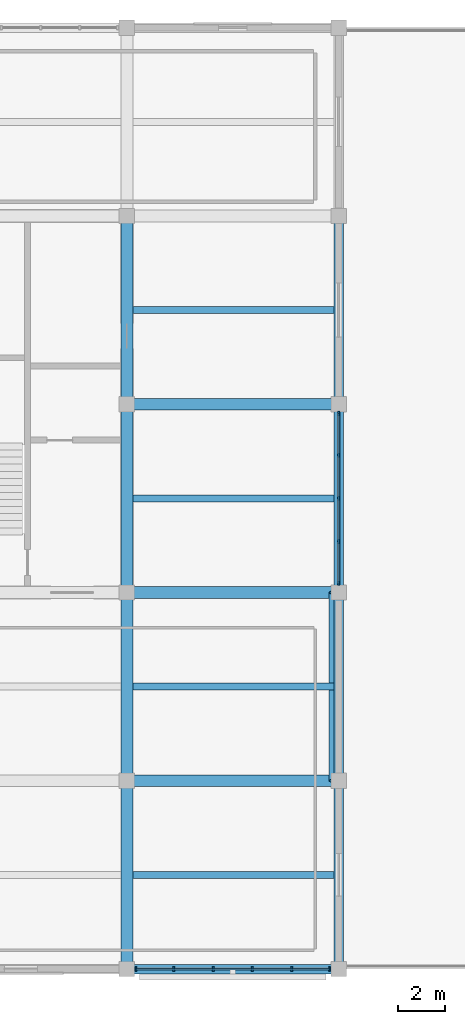
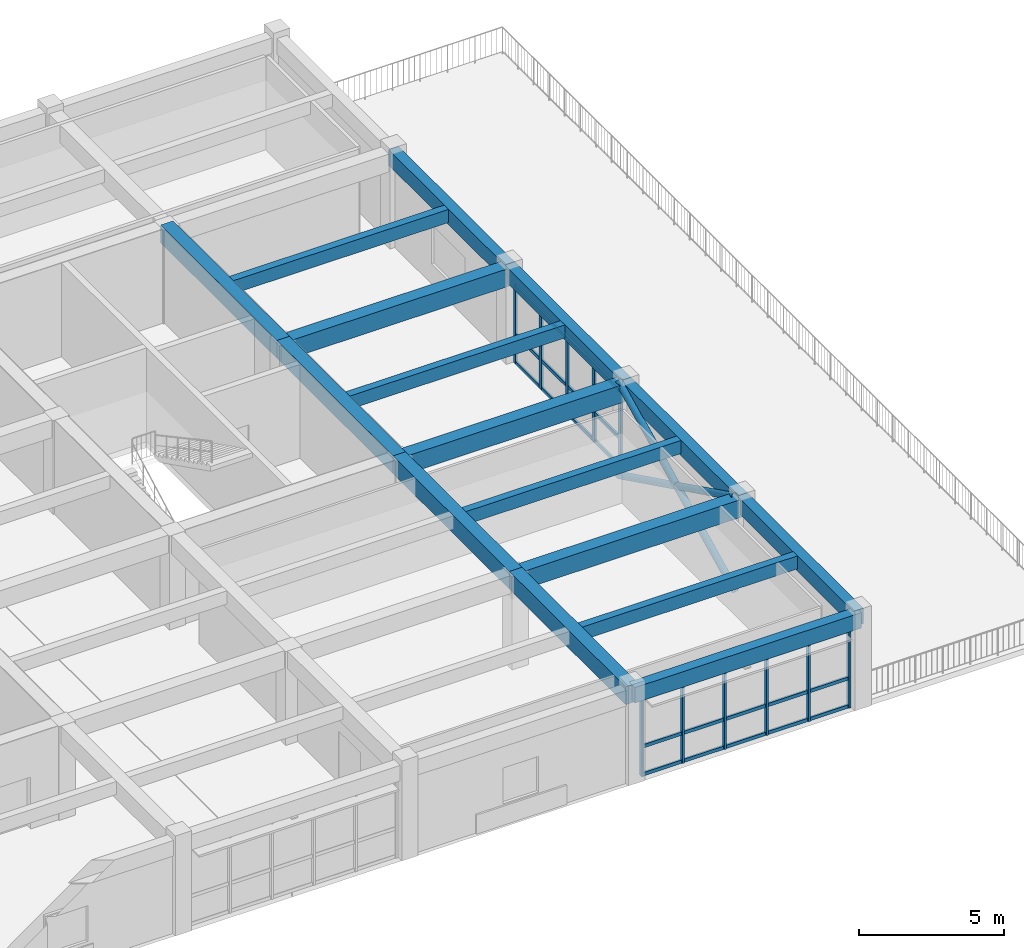
# One storey, part 4 of 12: 19 members, 16 beams, 2 elements without a shape of their own.
"""IFC4 building model written with IfcOpenShell, lengths in metres."""

import ifcopenshell
import ifcopenshell.guid

model = None  # the IFC model being written
_history = None  # IfcOwnerHistory: only IFC2X3 demands one
_inside = {}  # id of a spatial element -> (the spatial element, [elements in it])
_under = {}  # id of a project, library or spatial element -> (it, [spatial elements below it])
_declared = {}  # id of a project -> (the project, [libraries it declares])
_typed = {}  # id of a type object -> (the type object, [elements of that type])
_made_of = {}  # id of a material, layer set ... -> (it, [elements and type objects made of it])


def new_model(schema):
    """Start an empty IFC model of exactly this schema.

    Asked for "IFC4X3", IfcOpenShell would pick the latest addendum, in which some entities
    have other attributes; the version numbers below select the first issue.
    IFC2X3 requires an IfcOwnerHistory on every rooted entity: one is made here for all.
    """
    global model, _history
    if schema == "IFC4X3":
        model = ifcopenshell.file(schema_version=(4, 3, 0, 0))
    else:
        model = ifcopenshell.file(schema=schema)
    _inside.clear()
    _under.clear()
    _declared.clear()
    _typed.clear()
    _made_of.clear()
    _history = None
    if model.schema == "IFC2X3":
        org = make("IfcOrganization", Name="unknown")
        user = make(
            "IfcPersonAndOrganization",
            ThePerson=make("IfcPerson", FamilyName="unknown"),
            TheOrganization=org,
        )
        app = make(
            "IfcApplication",
            ApplicationDeveloper=org,
            Version="unknown",
            ApplicationFullName="unknown",
            ApplicationIdentifier="unknown",
        )
        _history = make(
            "IfcOwnerHistory",
            OwningUser=user,
            OwningApplication=app,
            ChangeAction="ADDED",
            CreationDate=0,
        )
    return model


def make(cls, **values):
    """One entity of the class cls with the attributes given. An attribute that is None is left unset."""
    return model.create_entity(
        cls, **{name: value for name, value in values.items() if value is not None}
    )


def rooted(cls, **values):
    """An entity with a GlobalId (a new one), such as an element, a storey or a relation."""
    return make(cls, GlobalId=ifcopenshell.guid.new(), OwnerHistory=_history, **values)


def si_unit(unit_type, name, prefix=None):
    """IfcSIUnit, for example si_unit("LENGTHUNIT", "METRE", prefix="MILLI")."""
    return make("IfcSIUnit", UnitType=unit_type, Prefix=prefix, Name=name)


def assignment(units):
    """IfcUnitAssignment: the units of a project."""
    return None if units is None else make("IfcUnitAssignment", Units=units)


def point(xyz):
    """IfcCartesianPoint."""
    return None if xyz is None else make("IfcCartesianPoint", Coordinates=xyz)


def direction(xyz):
    """IfcDirection."""
    return None if xyz is None else make("IfcDirection", DirectionRatios=xyz)


def frame(location, z_axis=None, x_axis=None):
    """IfcAxis2Placement3D, a coordinate frame: its origin and axes. An axis left out is left unset."""
    return make(
        "IfcAxis2Placement3D",
        Location=point(location),
        Axis=direction(z_axis),
        RefDirection=direction(x_axis),
    )


def frame_2d(location, x_axis=None):
    """IfcAxis2Placement2D, a coordinate frame in the plane: its origin and x axis."""
    return make(
        "IfcAxis2Placement2D", Location=point(location), RefDirection=direction(x_axis)
    )


def origin():
    """The frame at (0, 0, 0) with its axes left unset."""
    return frame((0.0, 0.0, 0.0))


def origin_2d():
    """The frame at (0, 0) in the plane with its x axis left unset."""
    return frame_2d((0.0, 0.0))


def place(relative_to, where):
    """IfcLocalPlacement: puts the frame where relative to a parent placement (None: the world)."""
    return make(
        "IfcLocalPlacement", PlacementRelTo=relative_to, RelativePlacement=where
    )


def context(
    kind, dimensions, precision=None, world=None, true_north=None, identifier=None
):
    """IfcGeometricRepresentationContext, for example the 3D "Model" context."""
    return make(
        "IfcGeometricRepresentationContext",
        ContextIdentifier=identifier,
        ContextType=kind,
        CoordinateSpaceDimension=dimensions,
        Precision=precision,
        WorldCoordinateSystem=world,
        TrueNorth=true_north,
    )


def subcontext(parent, identifier, kind, view, scale=None):
    """IfcGeometricRepresentationSubContext, for example "Body" below "Model"."""
    return make(
        "IfcGeometricRepresentationSubContext",
        ContextIdentifier=identifier,
        ContextType=kind,
        ParentContext=parent,
        TargetScale=scale,
        TargetView=view,
    )


def project(units=None, contexts=None):
    """IfcProject with its units and contexts."""
    return rooted(
        "IfcProject",
        Name="project",
        RepresentationContexts=contexts,
        UnitsInContext=assignment(units),
    )


def spatial(cls, under=None, at=None, **own):
    """A site, building, storey or space (cls), placed at a placement, below another one or the project."""
    s = rooted(cls, ObjectPlacement=at, **own)
    if under is not None:
        _under.setdefault(under.id(), (under, []))[1].append(s)
    return s


def profile(cls, at=None, kind="AREA", **sizes):
    """A parametric profile (cls). Its sizes go by their IFC names, for example OverallWidth=200.0."""
    return make(cls, ProfileType=kind, Position=at, **sizes)


def rectangle(**sizes):
    """IfcRectangleProfileDef."""
    return profile("IfcRectangleProfileDef", **sizes)


def hollow_circle(**sizes):
    """IfcCircleHollowProfileDef."""
    return profile("IfcCircleHollowProfileDef", **sizes)


def extrude(swept, where, along, depth):
    """IfcExtrudedAreaSolid: the profile swept, set in the frame where, extruded along a direction by depth."""
    return make(
        "IfcExtrudedAreaSolid",
        SweptArea=swept,
        Position=where,
        ExtrudedDirection=direction(along),
        Depth=depth,
    )


def shape(context_of_items, identifier, shape_type, items):
    """IfcShapeRepresentation: the items that make up one representation, for example the "Body"."""
    return make(
        "IfcShapeRepresentation",
        ContextOfItems=context_of_items,
        RepresentationIdentifier=identifier,
        RepresentationType=shape_type,
        Items=items,
    )


def material(Name=None, Category=None):
    """IfcMaterial."""
    return make("IfcMaterial", Name=Name, Category=Category)


def material_profile(
    of_material, cross_section, Name=None, Category=None, Priority=None
):
    """IfcMaterialProfile: a cross section and its material."""
    return make(
        "IfcMaterialProfile",
        Name=Name,
        Material=of_material,
        Profile=cross_section,
        Priority=Priority,
        Category=Category,
    )


def profile_set(profiles, Name=None, composite=None):
    """IfcMaterialProfileSet."""
    return make(
        "IfcMaterialProfileSet",
        Name=Name,
        MaterialProfiles=profiles,
        CompositeProfile=composite,
    )


def made_of(thing, what):
    """Note that an element or type object is made of a material, layer set ...; save() writes the relation."""
    if what is not None:
        _made_of.setdefault(what.id(), (what, []))[1].append(thing)
    return thing


def type_object(cls, material=None, **own):
    """A type object (cls), such as IfcWallType, which elements share."""
    return made_of(rooted(cls, **own), material)


def element(
    cls,
    number,
    at=None,
    inside=None,
    cuts=None,
    type_object=None,
    material=None,
    context=None,
    identifier="Body",
    shape_type=None,
    held_by="IfcProductDefinitionShape",
    body=None,
    shapes=None,
    **own,
):
    """One element of the class cls, such as IfcWall. Its Tag is "e" and its number.

    at: its placement. inside: the storey or other place that contains it. cuts: it is an
    opening in that element (IfcRelVoidsElement). A single representation is given by context,
    identifier, shape_type and body (its items); several are given by shapes. held_by: the class
    of the entity that holds the representations. save() writes the other relations.
    """
    e = rooted(cls, Tag="e%d" % number, ObjectPlacement=at, **own)
    if body is not None:
        shapes = [shape(context, identifier, shape_type, body)]
    if shapes is not None:
        e.Representation = make(held_by, Representations=shapes)
    if inside is not None:
        _inside.setdefault(inside.id(), (inside, []))[1].append(e)
    if cuts is not None:
        rooted(
            "IfcRelVoidsElement", RelatingBuildingElement=cuts, RelatedOpeningElement=e
        )
    if type_object is not None:
        _typed.setdefault(type_object.id(), (type_object, []))[1].append(e)
    return made_of(e, material)


def aggregate(whole, parts):
    """IfcRelAggregates: a whole, such as a stair, and the parts it consists of."""
    return rooted("IfcRelAggregates", RelatingObject=whole, RelatedObjects=parts)


def save(model, path):
    """Write the relations noted so far, then the file.

    IfcRelAggregates (storeys below a building ...), IfcRelContainedInSpatialStructure (elements
    in a storey), IfcRelDefinesByType, IfcRelAssociatesMaterial and IfcRelDeclares: one each for
    every whole, place, type object, material and project.
    """
    for whole, parts in _under.values():
        aggregate(whole, parts)
    for where, things in _inside.values():
        rooted(
            "IfcRelContainedInSpatialStructure",
            RelatedElements=things,
            RelatingStructure=where,
        )
    for kind, things in _typed.values():
        rooted("IfcRelDefinesByType", RelatedObjects=things, RelatingType=kind)
    for what, things in _made_of.values():
        rooted("IfcRelAssociatesMaterial", RelatedObjects=things, RelatingMaterial=what)
    for by, libraries in _declared.values():
        rooted("IfcRelDeclares", RelatingContext=by, RelatedDefinitions=libraries)
    model.write(path)


model = new_model("IFC4")

# Units and contexts
model_context = context("Model", 3, precision=1e-05, world=origin(), true_north=direction((0.0, 1.0)))
body_context = subcontext(model_context, "Body", "Model", "MODEL_VIEW")
ifc_project = project(units=[si_unit("LENGTHUNIT", "METRE"), si_unit("AREAUNIT", "SQUARE_METRE"), si_unit("VOLUMEUNIT", "CUBIC_METRE"), si_unit("PLANEANGLEUNIT", "RADIAN"), si_unit("MASSUNIT", "GRAM", prefix="KILO")], contexts=[model_context])

# Site, building, storey
site_placement = place(None, origin())
site = spatial("IfcSite", under=ifc_project, at=site_placement, CompositionType="ELEMENT")
building_placement = place(site_placement, origin())
building = spatial("IfcBuilding", under=site, at=building_placement, Name="Zaverband Oceanarium and Marine Research Institute", CompositionType="ELEMENT")
storey_placement = place(building_placement, frame((0.0, 0.0, 68.699951171875)))
storey = spatial("IfcBuildingStorey", under=building, at=storey_placement, Name="L17", CompositionType="ELEMENT", Elevation=68.699951171875)

# Beams
ifc_material_1 = material(Name="Concrete C40/50", Category="concrete")
ifc_material_profile_1 = material_profile(ifc_material_1, rectangle(XDim=0.5, YDim=0.75, at=origin_2d()), Name="RC500x750")
ifc_profile_set_1 = profile_set([ifc_material_profile_1], Name="Concrete C40/50")
beam_type_1 = type_object("IfcBeamType", Name="BM-500x750", PredefinedType="BEAM", material=ifc_profile_set_1)
for number, where, z_axis, x_axis, name in (
    (1, (45.0, 80.0, 3.56494140625), (1.0, 0.0, 0.0), (0.0, 1.0, 0.0), "Primary floor girder BM-500x750"),
    (2, (45.0, 88.0, 3.56494140625), (1.0, 0.0, 0.0), (0.0, 1.0, 0.0), "Primary floor girder BM-500x750"),
    (3, (45.0, 96.0, 3.56494140625), (1.0, 0.0, 0.0), (0.0, 1.0, 0.0), "Primary floor girder BM-500x750"),
):
    element("IfcBeam", number, at=place(storey_placement, frame(where, z_axis=z_axis, x_axis=x_axis)), inside=storey, type_object=beam_type_1, Name=name, PredefinedType="BEAM", context=body_context, shape_type="SweptSolid", body=[
        extrude(rectangle(XDim=0.5, YDim=0.75, at=origin_2d()), origin(), (0.0, 0.0, 1.0), 9.0),
    ])
for number, where, z_axis, x_axis, name in (
    (4, (45.0, 72.0, 3.56494140625), (0.0, 1.0, 0.0), (-1.0, 0.0, 0.0), "Primary floor girder BM-500x750"),
    (5, (45.0, 80.0, 3.56494140625), (0.0, 1.0, 0.0), (-1.0, 0.0, 0.0), "Primary floor girder BM-500x750"),
    (6, (45.0, 88.0, 3.56494140625), (0.0, 1.0, 0.0), (-1.0, 0.0, 0.0), "Primary floor girder BM-500x750"),
    (7, (45.0, 96.0, 3.56494140625), (0.0, 1.0, 0.0), (-1.0, 0.0, 0.0), "Primary floor girder BM-500x750"),
):
    element("IfcBeam", number, at=place(storey_placement, frame(where, z_axis=z_axis, x_axis=x_axis)), inside=storey, type_object=beam_type_1, Name=name, PredefinedType="BEAM", context=body_context, shape_type="SweptSolid", body=[
        extrude(rectangle(XDim=0.5, YDim=0.75, at=origin_2d()), origin(), (0.0, 0.0, 1.0), 8.0),
    ])

# Members
ifc_material_2 = material(Name="Steel S355", Category="steel")
ifc_material_profile_2 = material_profile(ifc_material_2, hollow_circle(Radius=0.136474609375, WallThickness=0.010009765625, at=origin_2d()), Name="CHS273x10")
ifc_profile_set_2 = profile_set([ifc_material_profile_2], Name="Steel S355")
member_type_1 = type_object("IfcMemberType", Name="BR-01", PredefinedType="BRACE", material=ifc_profile_set_2)
for number, where, z_axis, x_axis, name in (
    (8, (53.719970703125, 80.0, 0.0), (0.0, 0.897104905927, 0.441817595577), (-1.0, 0.0, 0.0), "Diagonal lateral brace BR-01"),
    (9, (53.719970703125, 88.0, 0.0), (0.0, -0.897104905927, 0.441817595577), (1.0, 0.0, 0.0), "Diagonal lateral brace BR-01"),
):
    element("IfcMember", number, at=place(storey_placement, frame(where, z_axis=z_axis, x_axis=x_axis)), inside=storey, type_object=member_type_1, Name=name, PredefinedType="BRACE", context=body_context, shape_type="SweptSolid", body=[
        extrude(hollow_circle(Radius=0.136474609375, WallThickness=0.010009765625, at=origin_2d()), origin(), (0.0, 0.0, 1.0), 8.91748046875),
    ])

# Beams
ifc_material_profile_3 = material_profile(ifc_material_1, rectangle(XDim=0.300048828125, YDim=0.550048828125, at=origin_2d()), Name="RC300x550")
ifc_profile_set_3 = profile_set([ifc_material_profile_3], Name="Concrete C40/50")
beam_type_2 = type_object("IfcBeamType", Name="JST-300x550", PredefinedType="JOIST", material=ifc_profile_set_3)
for number, where, z_axis, x_axis, name in (
    (10, (45.25, 76.0, 3.6650390625), (1.0, 0.0, 0.0), (0.0, 1.0, 0.0), "Secondary floor joist JST-300x550"),
    (11, (45.25, 84.0, 3.6650390625), (1.0, 0.0, 0.0), (0.0, 1.0, 0.0), "Secondary floor joist JST-300x550"),
    (12, (45.25, 92.0, 3.6650390625), (1.0, 0.0, 0.0), (0.0, 1.0, 0.0), "Secondary floor joist JST-300x550"),
    (13, (45.25, 100.0, 3.6650390625), (1.0, 0.0, 0.0), (0.0, 1.0, 0.0), "Secondary floor joist JST-300x550"),
):
    element("IfcBeam", number, at=place(storey_placement, frame(where, z_axis=z_axis, x_axis=x_axis)), inside=storey, type_object=beam_type_2, Name=name, PredefinedType="JOIST", context=body_context, shape_type="SweptSolid", body=[
        extrude(rectangle(XDim=0.300048828125, YDim=0.550048828125, at=origin_2d()), origin(), (0.0, 0.0, 1.0), 8.550048828125),
    ])

# Curtain wall, members
ifc_material_3 = material(Name="Thermally broken anodized aluminium and solar-control glass", Category="aluminium")
curtain_wall_type = type_object("IfcCurtainWallType", Name="CW-UNIT-1800", PredefinedType="NOTDEFINED", material=ifc_material_3)
curtain_wall_1_placement = place(storey_placement, origin())
curtain_wall_1 = element("IfcCurtainWall", 14, at=curtain_wall_1_placement, inside=storey, type_object=curtain_wall_type, Name="Unitised glazed curtain wall CW-176", PredefinedType="NOTDEFINED")
ifc_material_4 = material(Name="Thermally broken anodized aluminium", Category="aluminium")
ifc_material_profile_4 = material_profile(ifc_material_4, rectangle(XDim=0.080078125, YDim=0.179931640625, at=origin_2d()), Name="AL-MUL-80x180")
ifc_profile_set_4 = profile_set([ifc_material_profile_4], Name="Thermally broken anodized aluminium")
member_type_2 = type_object("IfcMemberType", Name="MUL-80x180", PredefinedType="MULLION", material=ifc_profile_set_4)
member_1_placement = place(storey_placement, frame((45.389892578125, 72.0, 0.0), z_axis=(0.0, 0.0, 1.0), x_axis=(1.0, 0.0, 0.0)))
member_1 = element("IfcMember", 15, at=member_1_placement, type_object=member_type_2, Name="Curtain wall vertical mullion MUL-80x180", PredefinedType="MULLION", context=body_context, shape_type="SweptSolid", body=[
    extrude(rectangle(XDim=0.080078125, YDim=0.179931640625, at=origin_2d()), origin(), (0.0, 0.0, 1.0), 3.27001953125),
])
member_2_placement = place(storey_placement, frame((46.998046875, 72.0, 0.0), z_axis=(0.0, 0.0, 1.0), x_axis=(1.0, 0.0, 0.0)))
member_2 = element("IfcMember", 16, at=member_2_placement, type_object=member_type_2, Name="Curtain wall vertical mullion MUL-80x180", PredefinedType="MULLION", context=body_context, shape_type="SweptSolid", body=[
    extrude(rectangle(XDim=0.080078125, YDim=0.179931640625, at=origin_2d()), origin(), (0.0, 0.0, 1.0), 3.27001953125),
])
member_3_placement = place(storey_placement, frame((48.666015625, 72.0, 0.0), z_axis=(0.0, 0.0, 1.0), x_axis=(1.0, 0.0, 0.0)))
member_3 = element("IfcMember", 17, at=member_3_placement, type_object=member_type_2, Name="Curtain wall vertical mullion MUL-80x180", PredefinedType="MULLION", context=body_context, shape_type="SweptSolid", body=[
    extrude(rectangle(XDim=0.080078125, YDim=0.179931640625, at=origin_2d()), origin(), (0.0, 0.0, 1.0), 3.27001953125),
])
member_4_placement = place(storey_placement, frame((50.333984375, 72.0, 0.0), z_axis=(0.0, 0.0, 1.0), x_axis=(1.0, 0.0, 0.0)))
member_4 = element("IfcMember", 18, at=member_4_placement, type_object=member_type_2, Name="Curtain wall vertical mullion MUL-80x180", PredefinedType="MULLION", context=body_context, shape_type="SweptSolid", body=[
    extrude(rectangle(XDim=0.080078125, YDim=0.179931640625, at=origin_2d()), origin(), (0.0, 0.0, 1.0), 3.27001953125),
])
member_5_placement = place(storey_placement, frame((52.001953125, 72.0, 0.0), z_axis=(0.0, 0.0, 1.0), x_axis=(1.0, 0.0, 0.0)))
member_5 = element("IfcMember", 19, at=member_5_placement, type_object=member_type_2, Name="Curtain wall vertical mullion MUL-80x180", PredefinedType="MULLION", context=body_context, shape_type="SweptSolid", body=[
    extrude(rectangle(XDim=0.080078125, YDim=0.179931640625, at=origin_2d()), origin(), (0.0, 0.0, 1.0), 3.27001953125),
])
member_6_placement = place(storey_placement, frame((53.610107421875, 72.0, 0.0), z_axis=(0.0, 0.0, 1.0), x_axis=(1.0, 0.0, 0.0)))
member_6 = element("IfcMember", 20, at=member_6_placement, type_object=member_type_2, Name="Curtain wall vertical mullion MUL-80x180", PredefinedType="MULLION", context=body_context, shape_type="SweptSolid", body=[
    extrude(rectangle(XDim=0.080078125, YDim=0.179931640625, at=origin_2d()), origin(), (0.0, 0.0, 1.0), 3.27001953125),
])

curtain_wall_2_placement = place(storey_placement, origin())
curtain_wall_2 = element("IfcCurtainWall", 21, at=curtain_wall_2_placement, inside=storey, type_object=curtain_wall_type, Name="Unitised glazed curtain wall CW-182", PredefinedType="NOTDEFINED")
member_7_placement = place(storey_placement, frame((54.0, 88.389892578125, 0.0), z_axis=(0.0, 0.0, 1.0), x_axis=(1.0, 0.0, 0.0)))
member_7 = element("IfcMember", 22, at=member_7_placement, type_object=member_type_2, Name="Curtain wall vertical mullion MUL-80x180", PredefinedType="MULLION", context=body_context, shape_type="SweptSolid", body=[
    extrude(rectangle(XDim=0.080078125, YDim=0.179931640625, at=origin_2d()), origin(), (0.0, 0.0, 1.0), 3.27001953125),
])
member_8_placement = place(storey_placement, frame((54.0, 90.1650390625, 0.0), z_axis=(0.0, 0.0, 1.0), x_axis=(1.0, 0.0, 0.0)))
member_8 = element("IfcMember", 23, at=member_8_placement, type_object=member_type_2, Name="Curtain wall vertical mullion MUL-80x180", PredefinedType="MULLION", context=body_context, shape_type="SweptSolid", body=[
    extrude(rectangle(XDim=0.080078125, YDim=0.179931640625, at=origin_2d()), origin(), (0.0, 0.0, 1.0), 3.27001953125),
])
member_9_placement = place(storey_placement, frame((54.0, 92.0, 0.0), z_axis=(0.0, 0.0, 1.0), x_axis=(1.0, 0.0, 0.0)))
member_9 = element("IfcMember", 24, at=member_9_placement, type_object=member_type_2, Name="Curtain wall vertical mullion MUL-80x180", PredefinedType="MULLION", context=body_context, shape_type="SweptSolid", body=[
    extrude(rectangle(XDim=0.080078125, YDim=0.179931640625, at=origin_2d()), origin(), (0.0, 0.0, 1.0), 3.27001953125),
])
member_10_placement = place(storey_placement, frame((54.0, 93.8349609375, 0.0), z_axis=(0.0, 0.0, 1.0), x_axis=(1.0, 0.0, 0.0)))
member_10 = element("IfcMember", 25, at=member_10_placement, type_object=member_type_2, Name="Curtain wall vertical mullion MUL-80x180", PredefinedType="MULLION", context=body_context, shape_type="SweptSolid", body=[
    extrude(rectangle(XDim=0.080078125, YDim=0.179931640625, at=origin_2d()), origin(), (0.0, 0.0, 1.0), 3.27001953125),
])
member_11_placement = place(storey_placement, frame((54.0, 95.610107421875, 0.0), z_axis=(0.0, 0.0, 1.0), x_axis=(1.0, 0.0, 0.0)))
member_11 = element("IfcMember", 26, at=member_11_placement, type_object=member_type_2, Name="Curtain wall vertical mullion MUL-80x180", PredefinedType="MULLION", context=body_context, shape_type="SweptSolid", body=[
    extrude(rectangle(XDim=0.080078125, YDim=0.179931640625, at=origin_2d()), origin(), (0.0, 0.0, 1.0), 3.27001953125),
])

# Beams
ifc_material_profile_5 = material_profile(ifc_material_1, rectangle(XDim=0.39990234375, YDim=0.64990234375, at=origin_2d()), Name="RC400x650")
ifc_profile_set_5 = profile_set([ifc_material_profile_5], Name="Concrete C40/50")
beam_type_3 = type_object("IfcBeamType", Name="SPN-400x650", PredefinedType="SPANDREL", material=ifc_profile_set_5)
beam_placement = place(storey_placement, frame((45.0, 72.0, 3.614990234375), z_axis=(1.0, 0.0, 0.0), x_axis=(0.0, 1.0, 0.0)))
element("IfcBeam", 27, at=beam_placement, inside=storey, type_object=beam_type_3, Name="Perimeter spandrel beam SPN-400x650", PredefinedType="SPANDREL", context=body_context, shape_type="SweptSolid", body=[
    extrude(rectangle(XDim=0.39990234375, YDim=0.64990234375, at=origin_2d()), origin(), (0.0, 0.0, 1.0), 9.0),
])
for number, where, z_axis, x_axis, name in (
    (28, (54.0, 72.0, 3.614990234375), (0.0, 1.0, 0.0), (-1.0, 0.0, 0.0), "Perimeter spandrel beam SPN-400x650"),
    (29, (54.0, 80.0, 3.614990234375), (0.0, 1.0, 0.0), (-1.0, 0.0, 0.0), "Perimeter spandrel beam SPN-400x650"),
    (30, (54.0, 88.0, 3.614990234375), (0.0, 1.0, 0.0), (-1.0, 0.0, 0.0), "Perimeter spandrel beam SPN-400x650"),
    (31, (54.0, 96.0, 3.614990234375), (0.0, 1.0, 0.0), (-1.0, 0.0, 0.0), "Perimeter spandrel beam SPN-400x650"),
):
    element("IfcBeam", number, at=place(storey_placement, frame(where, z_axis=z_axis, x_axis=x_axis)), inside=storey, type_object=beam_type_3, Name=name, PredefinedType="SPANDREL", context=body_context, shape_type="SweptSolid", body=[
        extrude(rectangle(XDim=0.39990234375, YDim=0.64990234375, at=origin_2d()), origin(), (0.0, 0.0, 1.0), 8.0),
    ])

# Member
ifc_material_profile_6 = material_profile(ifc_material_4, rectangle(XDim=0.080078125, YDim=0.139892578125, at=origin_2d()), Name="AL-TRN-80x140")
ifc_profile_set_6 = profile_set([ifc_material_profile_6], Name="Thermally broken anodized aluminium")
member_type_3 = type_object("IfcMemberType", Name="TRN-80x140", PredefinedType="USERDEFINED", material=ifc_profile_set_6)
member_12_placement = place(storey_placement, frame((45.389892578125, 72.0, 0.050048828125), z_axis=(1.0, 0.0, 0.0), x_axis=(0.0, 1.0, 0.0)))
member_12 = element("IfcMember", 32, at=member_12_placement, type_object=member_type_3, Name="Curtain wall horizontal transom TRN-80x140", ObjectType="TRANSOM", PredefinedType="USERDEFINED", context=body_context, shape_type="SweptSolid", body=[
    extrude(rectangle(XDim=0.080078125, YDim=0.139892578125, at=origin_2d()), origin(), (0.0, 0.0, 1.0), 8.22021484375),
])

member_13_placement = place(storey_placement, frame((45.389892578125, 72.0, 1.22412109375), z_axis=(1.0, 0.0, 0.0), x_axis=(0.0, 1.0, 0.0)))
member_13 = element("IfcMember", 33, at=member_13_placement, type_object=member_type_3, Name="Curtain wall horizontal transom TRN-80x140", ObjectType="TRANSOM", PredefinedType="USERDEFINED", context=body_context, shape_type="SweptSolid", body=[
    extrude(rectangle(XDim=0.080078125, YDim=0.139892578125, at=origin_2d()), origin(), (0.0, 0.0, 1.0), 8.22021484375),
])

member_14_placement = place(storey_placement, frame((45.389892578125, 72.0, 3.219970703125), z_axis=(1.0, 0.0, 0.0), x_axis=(0.0, 1.0, 0.0)))
member_14 = element("IfcMember", 34, at=member_14_placement, type_object=member_type_3, Name="Curtain wall horizontal transom TRN-80x140", ObjectType="TRANSOM", PredefinedType="USERDEFINED", context=body_context, shape_type="SweptSolid", body=[
    extrude(rectangle(XDim=0.080078125, YDim=0.139892578125, at=origin_2d()), origin(), (0.0, 0.0, 1.0), 8.22021484375),
])

aggregate(curtain_wall_1, [member_1, member_2, member_3, member_4, member_5, member_6, member_12, member_13, member_14])

member_15_placement = place(storey_placement, frame((54.0, 88.389892578125, 0.050048828125), z_axis=(0.0, 1.0, 0.0), x_axis=(-1.0, 0.0, 0.0)))
member_15 = element("IfcMember", 35, at=member_15_placement, type_object=member_type_3, Name="Curtain wall horizontal transom TRN-80x140", ObjectType="TRANSOM", PredefinedType="USERDEFINED", context=body_context, shape_type="SweptSolid", body=[
    extrude(rectangle(XDim=0.080078125, YDim=0.139892578125, at=origin_2d()), origin(), (0.0, 0.0, 1.0), 7.22021484375),
])

member_16_placement = place(storey_placement, frame((54.0, 88.389892578125, 1.22412109375), z_axis=(0.0, 1.0, 0.0), x_axis=(-1.0, 0.0, 0.0)))
member_16 = element("IfcMember", 36, at=member_16_placement, type_object=member_type_3, Name="Curtain wall horizontal transom TRN-80x140", ObjectType="TRANSOM", PredefinedType="USERDEFINED", context=body_context, shape_type="SweptSolid", body=[
    extrude(rectangle(XDim=0.080078125, YDim=0.139892578125, at=origin_2d()), origin(), (0.0, 0.0, 1.0), 7.22021484375),
])

member_17_placement = place(storey_placement, frame((54.0, 88.389892578125, 3.219970703125), z_axis=(0.0, 1.0, 0.0), x_axis=(-1.0, 0.0, 0.0)))
member_17 = element("IfcMember", 37, at=member_17_placement, type_object=member_type_3, Name="Curtain wall horizontal transom TRN-80x140", ObjectType="TRANSOM", PredefinedType="USERDEFINED", context=body_context, shape_type="SweptSolid", body=[
    extrude(rectangle(XDim=0.080078125, YDim=0.139892578125, at=origin_2d()), origin(), (0.0, 0.0, 1.0), 7.22021484375),
])

aggregate(curtain_wall_2, [member_7, member_8, member_9, member_10, member_11, member_15, member_16, member_17])

save(model, "model.ifc")
